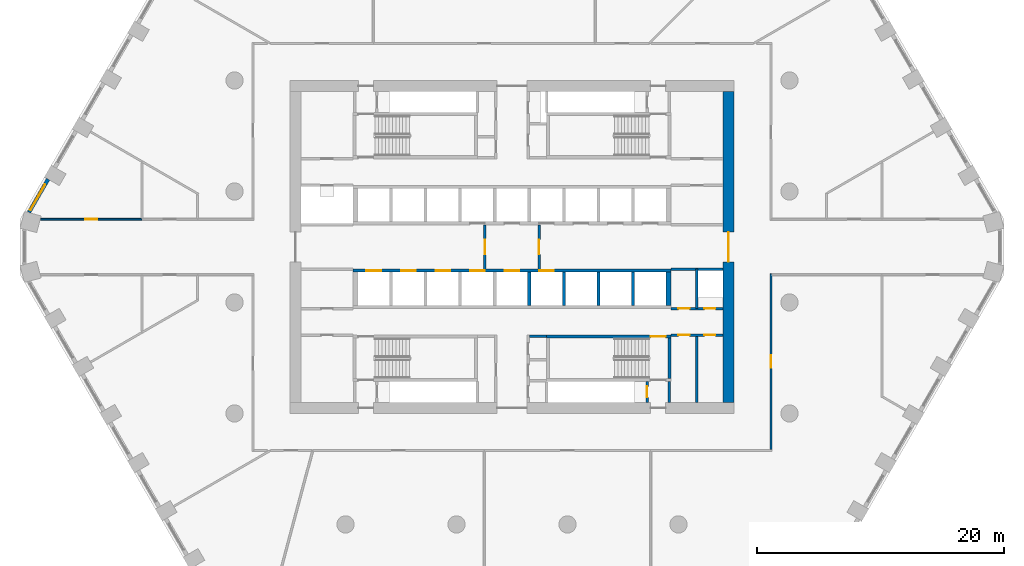
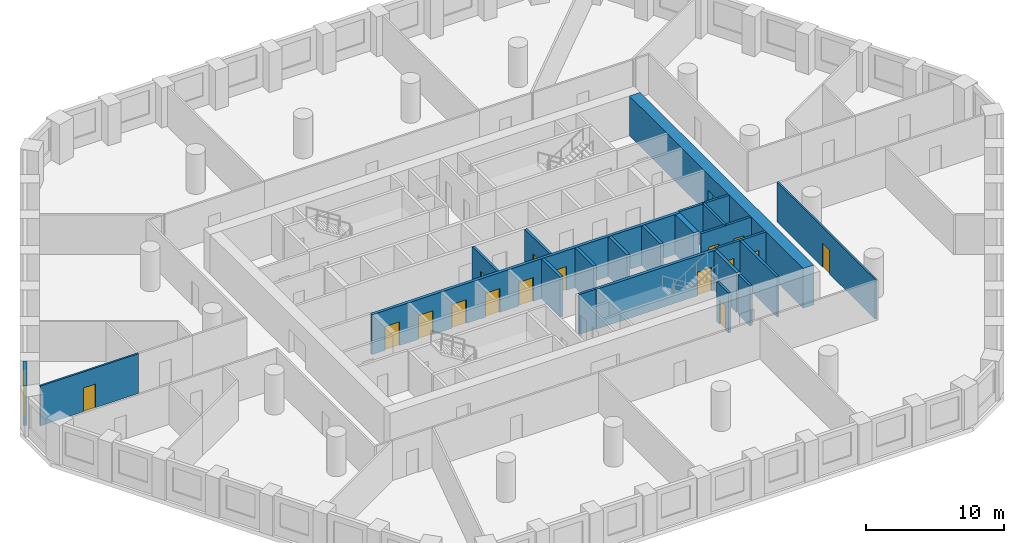
# One storey, part 4 of 10: 22 walls, 17 doors, 1 window, 18 openings.
"""IFC4 building model written with IfcOpenShell, lengths in metres."""

from ifc_helpers import new_model, si_unit, direction, frame, frame_2d, origin, place, context, subcontext, project, spatial, polyline, rectangle, outline, extrude, material, layer, layer_set, type_object, element, fill, save


model = new_model("IFC4")

# Units and contexts
model_context = context("Model", 3, precision=1e-05, world=origin(), true_north=direction((0.0, 1.0)))
body_context = subcontext(model_context, "Body", "Model", "MODEL_VIEW")
ifc_project = project(units=[si_unit("LENGTHUNIT", "METRE"), si_unit("AREAUNIT", "SQUARE_METRE"), si_unit("VOLUMEUNIT", "CUBIC_METRE"), si_unit("PLANEANGLEUNIT", "RADIAN"), si_unit("MASSUNIT", "GRAM", prefix="KILO")], contexts=[model_context])

# Site, building, storey
site_placement = place(None, origin())
site = spatial("IfcSite", under=ifc_project, at=site_placement, CompositionType="ELEMENT")
building_placement = place(site_placement, origin())
building = spatial("IfcBuilding", under=site, at=building_placement, Name="Dhurran Vertical Campus", CompositionType="ELEMENT")
storey_placement = place(building_placement, frame((0.0, 0.0, 37.800048828125)))
storey = spatial("IfcBuildingStorey", under=building, at=storey_placement, Name="L08", CompositionType="ELEMENT", Elevation=37.800048828125)

# Wall, opening, window
ifc_material_1 = material(Name="Precast concrete C50/60", Category="concrete")
ifc_layer_1 = layer(ifc_material_1, 0.300048828125)
ifc_layer_set_1 = layer_set([ifc_layer_1], Name="Precast concrete C50/60")
wall_type_1 = type_object("IfcWallType", Name="Precast spandrel wall 300", PredefinedType="SOLIDWALL", material=ifc_layer_set_1)
wall_1_placement = place(storey_placement, frame((-37.619384765625, 5.495361328125, 0.0), z_axis=(0.0, 0.0, 1.0), x_axis=(-0.49997090907, -0.866042198789, 0.0)))
wall_1 = element("IfcWall", 1, at=wall_1_placement, inside=storey, type_object=wall_type_1, Name="EW1 L08.42", PredefinedType="SOLIDWALL", context=body_context, shape_type="SweptSolid", body=[
    extrude(rectangle(XDim=3.090576171875, YDim=0.300048828125, at=frame_2d((1.54541015625, 0.0))), origin(), (0.0, 0.0, 1.0), 3.52490234375),
])
opening_1_placement = place(wall_1_placement, frame((0.49951171875, 0.0, 0.89990234375)))
opening_1 = element("IfcOpeningElement", 2, at=opening_1_placement, cuts=wall_1, Name="Opening WT1", PredefinedType="OPENING", context=body_context, shape_type="SweptSolid", body=[
    extrude(rectangle(XDim=2.39990234375, YDim=2.10009765625, at=frame_2d((1.199951171875, 1.050048828125))), frame((0.0, 0.159912109375, 0.0), z_axis=(0.0, -1.0, 0.0), x_axis=(1.0, 0.0, 0.0)), (0.0, 0.0, 1.0), 0.320068359375),
])
ifc_material_2 = material(Name="Aluminium frame with solar-control glass", Category="aluminium")
window_type = type_object("IfcWindowType", Name="Punched window 2400 x 2100", PartitioningType="SINGLE_PANEL", PredefinedType="WINDOW", material=ifc_material_2)
window_placement = place(opening_1_placement, origin())
window = element("IfcWindow", 3, at=window_placement, inside=storey, type_object=window_type, Name="WT1 L08.42", OverallHeight=2.10009765625, OverallWidth=2.39990234375, PartitioningType="SINGLE_PANEL", PredefinedType="WINDOW", context=body_context, shape_type="SweptSolid", body=[
    extrude(rectangle(XDim=2.39990234375, YDim=2.10009765625, at=frame_2d((1.199951171875, 1.050048828125))), frame((0.0, 0.030029296875, 0.0), z_axis=(0.0, -1.0, 0.0), x_axis=(1.0, 0.0, 0.0)), (0.0, 0.0, 1.0), 0.06005859375),
])
fill(opening_1, window)

# Wall, opening, door
ifc_material_3 = material(Name="Concrete C60/75", Category="concrete")
ifc_layer_2 = layer(ifc_material_3, 0.89990234375)
ifc_layer_set_2 = layer_set([ifc_layer_2], Name="Concrete C60/75")
wall_type_2 = type_object("IfcWallType", Name="co-CORE-WALL-C0-900", PredefinedType="SHEAR", material=ifc_layer_set_2)
wall_2_placement = place(storey_placement, frame((17.550048828125, -12.60009765625, 0.0), z_axis=(0.0, 0.0, 1.0), x_axis=(0.0, 1.0, 0.0)))
wall_2 = element("IfcWall", 4, at=wall_2_placement, inside=storey, type_object=wall_type_2, Name="Core wall E L08", PredefinedType="SHEAR", context=body_context, shape_type="SweptSolid", body=[
    extrude(rectangle(XDim=25.2001953125, YDim=0.89990234375, at=frame_2d((12.60009765625, 0.0))), origin(), (0.0, 0.0, 1.0), 3.52490234375),
])
opening_2_placement = place(wall_2_placement, frame((11.39990234375, 0.0, 0.0)))
opening_2 = element("IfcOpeningElement", 5, at=opening_2_placement, cuts=wall_2, Name="Opening CL2", PredefinedType="OPENING", context=body_context, shape_type="SweptSolid", body=[
    extrude(rectangle(XDim=2.39990234375, YDim=2.10009765625, at=frame_2d((1.199951171875, 1.050048828125))), frame((0.0, 0.4599609375, 0.0), z_axis=(0.0, -1.0, 0.0), x_axis=(1.0, 0.0, 0.0)), (0.0, 0.0, 1.0), 0.919921875),
])
ifc_material_4 = material(Name="Fire-rated glazed door set")
door_type_1 = type_object("IfcDoorType", Name="co-D-LOBBY 2400x2100", OperationType="DOUBLE_DOOR_DOUBLE_SWING", PredefinedType="DOOR", material=ifc_material_4)
door_1_placement = place(opening_2_placement, origin())
door_1 = element("IfcDoor", 6, at=door_1_placement, inside=storey, type_object=door_type_1, Name="Lift lobby door E L08", OperationType="DOUBLE_DOOR_DOUBLE_SWING", OverallHeight=2.10009765625, OverallWidth=2.39990234375, PredefinedType="DOOR", context=body_context, shape_type="SweptSolid", body=[
    extrude(rectangle(XDim=2.39990234375, YDim=2.10009765625, at=frame_2d((1.199951171875, 1.050048828125))), frame((0.0, 0.02490234375, 0.0), z_axis=(0.0, -1.0, 0.0), x_axis=(1.0, 0.0, 0.0)), (0.0, 0.0, 1.0), 0.050048828125),
])
fill(opening_2, door_1)

ifc_material_5 = material(Name="Fire-rated masonry blockwork", Category="masonry")
ifc_layer_3 = layer(ifc_material_5, 0.199951171875)
ifc_layer_set_3 = layer_set([ifc_layer_3], Name="Fire-rated masonry blockwork")
wall_type_3 = type_object("IfcWallType", Name="co-FIRE-PARTITION-200", PredefinedType="PARTITIONING", material=ifc_layer_set_3)
wall_3_placement = place(storey_placement, frame((-2.199951171875, -1.800048828125, 0.0), z_axis=(0.0, 0.0, 1.0), x_axis=(0.0, 1.0, 0.0)))
wall_3 = element("IfcWall", 7, at=wall_3_placement, inside=storey, type_object=wall_type_3, Name="Firefighting lobby wall W L08", PredefinedType="PARTITIONING", context=body_context, shape_type="SweptSolid", body=[
    extrude(rectangle(XDim=3.60009765625, YDim=0.199951171875, at=frame_2d((1.800048828125, 0.0))), origin(), (0.0, 0.0, 1.0), 3.52490234375),
])
opening_3_placement = place(wall_3_placement, frame((1.199951171875, 0.0, 0.0)))
opening_3 = element("IfcOpeningElement", 8, at=opening_3_placement, cuts=wall_3, Name="Opening FL1", PredefinedType="OPENING", context=body_context, shape_type="SweptSolid", body=[
    extrude(rectangle(XDim=1.199951171875, YDim=2.10009765625, at=frame_2d((0.60009765625, 1.050048828125))), frame((0.0, 0.10986328125, 0.0), z_axis=(0.0, -1.0, 0.0), x_axis=(1.0, 0.0, 0.0)), (0.0, 0.0, 1.0), 0.219970703125),
])
ifc_material_6 = material(Name="Fire-rated steel door set", Category="steel")
door_type_2 = type_object("IfcDoorType", Name="co-D-FFLOBBY 1200x2100", OperationType="SINGLE_SWING_LEFT", PredefinedType="DOOR", material=ifc_material_6)
door_2_placement = place(opening_3_placement, origin())
door_2 = element("IfcDoor", 9, at=door_2_placement, inside=storey, type_object=door_type_2, Name="Firefighting lobby door W L08", OperationType="SINGLE_SWING_LEFT", OverallHeight=2.10009765625, OverallWidth=1.199951171875, PredefinedType="DOOR", context=body_context, shape_type="SweptSolid", body=[
    extrude(rectangle(XDim=1.199951171875, YDim=2.10009765625, at=frame_2d((0.60009765625, 1.050048828125))), frame((0.0, 0.02490234375, 0.0), z_axis=(0.0, -1.0, 0.0), x_axis=(1.0, 0.0, 0.0)), (0.0, 0.0, 1.0), 0.050048828125),
])
fill(opening_3, door_2)

wall_4_placement = place(storey_placement, frame((2.199951171875, -1.800048828125, 0.0), z_axis=(0.0, 0.0, 1.0), x_axis=(0.0, 1.0, 0.0)))
wall_4 = element("IfcWall", 10, at=wall_4_placement, inside=storey, type_object=wall_type_3, Name="Firefighting lobby wall E L08", PredefinedType="PARTITIONING", context=body_context, shape_type="SweptSolid", body=[
    extrude(rectangle(XDim=3.60009765625, YDim=0.199951171875, at=frame_2d((1.800048828125, 0.0))), origin(), (0.0, 0.0, 1.0), 3.52490234375),
])
opening_4_placement = place(wall_4_placement, frame((1.199951171875, 0.0, 0.0)))
opening_4 = element("IfcOpeningElement", 11, at=opening_4_placement, cuts=wall_4, Name="Opening FL2", PredefinedType="OPENING", context=body_context, shape_type="SweptSolid", body=[
    extrude(rectangle(XDim=1.199951171875, YDim=2.10009765625, at=frame_2d((0.60009765625, 1.050048828125))), frame((0.0, 0.10986328125, 0.0), z_axis=(0.0, -1.0, 0.0), x_axis=(1.0, 0.0, 0.0)), (0.0, 0.0, 1.0), 0.219970703125),
])
door_3_placement = place(opening_4_placement, origin())
door_3 = element("IfcDoor", 12, at=door_3_placement, inside=storey, type_object=door_type_2, Name="Firefighting lobby door E L08", OperationType="SINGLE_SWING_LEFT", OverallHeight=2.10009765625, OverallWidth=1.199951171875, PredefinedType="DOOR", context=body_context, shape_type="SweptSolid", body=[
    extrude(rectangle(XDim=1.199951171875, YDim=2.10009765625, at=frame_2d((0.60009765625, 1.050048828125))), frame((0.0, 0.02490234375, 0.0), z_axis=(0.0, -1.0, 0.0), x_axis=(1.0, 0.0, 0.0)), (0.0, 0.0, 1.0), 0.050048828125),
])
fill(opening_4, door_3)

# Walls
wall_5_placement = place(storey_placement, frame((1.39990234375, -7.25, 0.0), z_axis=(0.0, 0.0, 1.0), x_axis=(1.0, 0.0, 0.0)))
element("IfcWall", 13, at=wall_5_placement, inside=storey, type_object=wall_type_3, Name="Core partition sl-SE-S L08", PredefinedType="PARTITIONING", context=body_context, shape_type="SweptSolid", body=[
    extrude(rectangle(XDim=1.400146484375, YDim=0.199951171875, at=frame_2d((0.7001953125, 0.0))), origin(), (0.0, 0.0, 1.0), 3.52490234375),
])
wall_6_placement = place(storey_placement, frame((12.75, -12.60009765625, 0.0), z_axis=(0.0, 0.0, 1.0), x_axis=(0.0, 1.0, 0.0)))
element("IfcWall", 14, at=wall_6_placement, inside=storey, type_object=wall_type_3, Name="Core partition pass-ST4-o L08", PredefinedType="PARTITIONING", context=body_context, shape_type="SweptSolid", body=[
    extrude(rectangle(XDim=1.7001953125, YDim=0.199951171875, at=frame_2d((0.85009765625, 0.0))), origin(), (0.0, 0.0, 1.0), 3.52490234375),
])

# Wall, opening, door
wall_7_placement = place(storey_placement, frame((10.949951171875, -12.60009765625, 0.0), z_axis=(0.0, 0.0, 1.0), x_axis=(0.0, 1.0, 0.0)))
wall_7 = element("IfcWall", 15, at=wall_7_placement, inside=storey, type_object=wall_type_3, Name="Core partition pass-ST4-i L08", PredefinedType="PARTITIONING", context=body_context, shape_type="SweptSolid", body=[
    extrude(rectangle(XDim=1.7001953125, YDim=0.199951171875, at=frame_2d((0.85009765625, 0.0))), origin(), (0.0, 0.0, 1.0), 3.52490234375),
])
opening_5_placement = place(wall_7_placement, frame((0.39990234375, 0.0, 0.0)))
opening_5 = element("IfcOpeningElement", 16, at=opening_5_placement, cuts=wall_7, Name="Opening T01-C12", PredefinedType="OPENING", context=body_context, shape_type="SweptSolid", body=[
    extrude(rectangle(XDim=0.89990234375, YDim=2.10009765625, at=frame_2d((0.449951171875, 1.050048828125))), frame((0.0, 0.10986328125, 0.0), z_axis=(0.0, -1.0, 0.0), x_axis=(1.0, 0.0, 0.0)), (0.0, 0.0, 1.0), 0.219970703125),
])
ifc_material_7 = material(Name="Fire-rated timber door set", Category="wood")
door_type_3 = type_object("IfcDoorType", Name="co-D-ROOM 900x2100", OperationType="SINGLE_SWING_LEFT", PredefinedType="DOOR", material=ifc_material_7)
door_4_placement = place(opening_5_placement, origin())
door_4 = element("IfcDoor", 17, at=door_4_placement, inside=storey, type_object=door_type_3, Name="Riser room door L08", OperationType="SINGLE_SWING_LEFT", OverallHeight=2.10009765625, OverallWidth=0.89990234375, PredefinedType="DOOR", context=body_context, shape_type="SweptSolid", body=[
    extrude(rectangle(XDim=0.89990234375, YDim=2.10009765625, at=frame_2d((0.449951171875, 1.050048828125))), frame((0.0, 0.02490234375, 0.0), z_axis=(0.0, -1.0, 0.0), x_axis=(1.0, 0.0, 0.0)), (0.0, 0.0, 1.0), 0.050048828125),
])
fill(opening_5, door_4)

# Wall
wall_8_placement = place(storey_placement, frame((15.0, -12.60009765625, 0.0), z_axis=(0.0, 0.0, 1.0), x_axis=(0.0, 1.0, 0.0)))
element("IfcWall", 18, at=wall_8_placement, inside=storey, type_object=wall_type_3, Name="Core partition en-SE-cut0 L08", PredefinedType="PARTITIONING", context=body_context, shape_type="SweptSolid", body=[
    extrude(rectangle(XDim=5.4501953125, YDim=0.199951171875, at=frame_2d((2.72509765625, 0.0))), origin(), (0.0, 0.0, 1.0), 3.52490234375),
])

# Wall, openings, doors
wall_9_placement = place(storey_placement, frame((12.89990234375, -7.14990234375, 0.0), z_axis=(0.0, 0.0, 1.0), x_axis=(1.0, 0.0, 0.0)))
wall_9 = element("IfcWall", 19, at=wall_9_placement, inside=storey, type_object=wall_type_3, Name="Core partition en-SE-w L08", PredefinedType="PARTITIONING", context=body_context, shape_type="SweptSolid", body=[
    extrude(rectangle(XDim=4.2001953125, YDim=0.199951171875, at=frame_2d((2.10009765625, 0.0))), origin(), (0.0, 0.0, 1.0), 3.52490234375),
])
opening_6_placement = place(wall_9_placement, frame((0.60009765625, 0.0, 0.0)))
opening_6 = element("IfcOpeningElement", 20, at=opening_6_placement, cuts=wall_9, Name="Opening T01-C19", PredefinedType="OPENING", context=body_context, shape_type="SweptSolid", body=[
    extrude(rectangle(XDim=0.89990234375, YDim=2.10009765625, at=frame_2d((0.449951171875, 1.050048828125))), frame((0.0, 0.10986328125, 0.0), z_axis=(0.0, -1.0, 0.0), x_axis=(1.0, 0.0, 0.0)), (0.0, 0.0, 1.0), 0.219970703125),
])
opening_7_placement = place(wall_9_placement, frame((2.699951171875, 0.0, 0.0)))
opening_7 = element("IfcOpeningElement", 21, at=opening_7_placement, cuts=wall_9, Name="Opening T01-C20", PredefinedType="OPENING", context=body_context, shape_type="SweptSolid", body=[
    extrude(rectangle(XDim=0.89990234375, YDim=2.10009765625, at=frame_2d((0.449951171875, 1.050048828125))), frame((0.0, 0.10986328125, 0.0), z_axis=(0.0, -1.0, 0.0), x_axis=(1.0, 0.0, 0.0)), (0.0, 0.0, 1.0), 0.219970703125),
])
door_5_placement = place(opening_6_placement, origin())
door_5 = element("IfcDoor", 22, at=door_5_placement, inside=storey, type_object=door_type_3, Name="Fire equipment store door L08", OperationType="SINGLE_SWING_LEFT", OverallHeight=2.10009765625, OverallWidth=0.89990234375, PredefinedType="DOOR", context=body_context, shape_type="SweptSolid", body=[
    extrude(rectangle(XDim=0.89990234375, YDim=2.10009765625, at=frame_2d((0.449951171875, 1.050048828125))), frame((0.0, 0.02490234375, 0.0), z_axis=(0.0, -1.0, 0.0), x_axis=(1.0, 0.0, 0.0)), (0.0, 0.0, 1.0), 0.050048828125),
])
fill(opening_6, door_5)
door_6_placement = place(opening_7_placement, origin())
door_6 = element("IfcDoor", 23, at=door_6_placement, inside=storey, type_object=door_type_3, Name="Housekeeping store door L08", OperationType="SINGLE_SWING_LEFT", OverallHeight=2.10009765625, OverallWidth=0.89990234375, PredefinedType="DOOR", context=body_context, shape_type="SweptSolid", body=[
    extrude(rectangle(XDim=0.89990234375, YDim=2.10009765625, at=frame_2d((0.449951171875, 1.050048828125))), frame((0.0, 0.02490234375, 0.0), z_axis=(0.0, -1.0, 0.0), x_axis=(1.0, 0.0, 0.0)), (0.0, 0.0, 1.0), 0.050048828125),
])
fill(opening_7, door_6)

# Wall
wall_10_placement = place(storey_placement, frame((15.0, -5.0, 0.0), z_axis=(0.0, 0.0, 1.0), x_axis=(0.0, 1.0, 0.0)))
element("IfcWall", 24, at=wall_10_placement, inside=storey, type_object=wall_type_3, Name="Core partition es-SE-cut0 L08", PredefinedType="PARTITIONING", context=body_context, shape_type="SweptSolid", body=[
    extrude(rectangle(XDim=3.199951171875, YDim=0.199951171875, at=frame_2d((1.60009765625, 0.0))), origin(), (0.0, 0.0, 1.0), 3.52490234375),
])

# Wall, openings, doors
wall_11_placement = place(storey_placement, frame((12.89990234375, -5.0, 0.0), z_axis=(0.0, 0.0, 1.0), x_axis=(1.0, 0.0, 0.0)))
wall_11 = element("IfcWall", 25, at=wall_11_placement, inside=storey, type_object=wall_type_3, Name="Core partition es-SE-w L08", PredefinedType="PARTITIONING", context=body_context, shape_type="SweptSolid", body=[
    extrude(rectangle(XDim=4.2001953125, YDim=0.199951171875, at=frame_2d((2.10009765625, 0.0))), origin(), (0.0, 0.0, 1.0), 3.52490234375),
])
opening_8_placement = place(wall_11_placement, frame((0.60009765625, 0.0, 0.0)))
opening_8 = element("IfcOpeningElement", 26, at=opening_8_placement, cuts=wall_11, Name="Opening T01-C21", PredefinedType="OPENING", context=body_context, shape_type="SweptSolid", body=[
    extrude(rectangle(XDim=0.89990234375, YDim=2.10009765625, at=frame_2d((0.449951171875, 1.050048828125))), frame((0.0, 0.10986328125, 0.0), z_axis=(0.0, -1.0, 0.0), x_axis=(1.0, 0.0, 0.0)), (0.0, 0.0, 1.0), 0.219970703125),
])
opening_9_placement = place(wall_11_placement, frame((2.699951171875, 0.0, 0.0)))
opening_9 = element("IfcOpeningElement", 27, at=opening_9_placement, cuts=wall_11, Name="Opening T01-C22", PredefinedType="OPENING", context=body_context, shape_type="SweptSolid", body=[
    extrude(rectangle(XDim=0.89990234375, YDim=2.10009765625, at=frame_2d((0.449951171875, 1.050048828125))), frame((0.0, 0.10986328125, 0.0), z_axis=(0.0, -1.0, 0.0), x_axis=(1.0, 0.0, 0.0)), (0.0, 0.0, 1.0), 0.219970703125),
])
door_7_placement = place(opening_8_placement, origin())
door_7 = element("IfcDoor", 28, at=door_7_placement, inside=storey, type_object=door_type_3, Name="Waste room door L08", OperationType="SINGLE_SWING_LEFT", OverallHeight=2.10009765625, OverallWidth=0.89990234375, PredefinedType="DOOR", context=body_context, shape_type="SweptSolid", body=[
    extrude(rectangle(XDim=0.89990234375, YDim=2.10009765625, at=frame_2d((0.449951171875, 1.050048828125))), frame((0.0, 0.02490234375, 0.0), z_axis=(0.0, -1.0, 0.0), x_axis=(1.0, 0.0, 0.0)), (0.0, 0.0, 1.0), 0.050048828125),
])
fill(opening_8, door_7)
door_8_placement = place(opening_9_placement, origin())
door_8 = element("IfcDoor", 29, at=door_8_placement, inside=storey, type_object=door_type_3, Name="Electrical riser door L08", OperationType="SINGLE_SWING_LEFT", OverallHeight=2.10009765625, OverallWidth=0.89990234375, PredefinedType="DOOR", context=body_context, shape_type="SweptSolid", body=[
    extrude(rectangle(XDim=0.89990234375, YDim=2.10009765625, at=frame_2d((0.449951171875, 1.050048828125))), frame((0.0, 0.02490234375, 0.0), z_axis=(0.0, -1.0, 0.0), x_axis=(1.0, 0.0, 0.0)), (0.0, 0.0, 1.0), 0.050048828125),
])
fill(opening_9, door_8)

# Wall
wall_12_placement = place(storey_placement, frame((12.89990234375, -1.800048828125, 0.0), z_axis=(0.0, 0.0, 1.0), x_axis=(1.0, 0.0, 0.0)))
element("IfcWall", 30, at=wall_12_placement, inside=storey, type_object=wall_type_3, Name="Core partition es-SE-l L08", PredefinedType="PARTITIONING", context=body_context, shape_type="SweptSolid", body=[
    extrude(rectangle(XDim=4.2001953125, YDim=0.199951171875, at=frame_2d((2.10009765625, 0.0))), origin(), (0.0, 0.0, 1.0), 3.52490234375),
])

# Wall, openings, doors
ifc_material_8 = material(Name="Concrete C50/60", Category="concrete")
ifc_layer_4 = layer(ifc_material_8, 0.25)
ifc_layer_set_4 = layer_set([ifc_layer_4], Name="Concrete C50/60")
wall_type_4 = type_object("IfcWallType", Name="co-SHAFT-FRONT-250", PredefinedType="SHEAR", material=ifc_layer_set_4)
wall_13_placement = place(storey_placement, frame((-12.89990234375, -1.925048828125, 0.0), z_axis=(0.0, 0.0, 1.0), x_axis=(1.0, 0.0, 0.0)))
wall_13 = element("IfcWall", 31, at=wall_13_placement, inside=storey, type_object=wall_type_4, Name="Lift landing wall S L08", PredefinedType="SHEAR", context=body_context, shape_type="SweptSolid", body=[
    extrude(rectangle(XDim=25.7998046875, YDim=0.25, at=frame_2d((12.89990234375, 0.0))), origin(), (0.0, 0.0, 1.0), 3.52490234375),
])
opening_10_placement = place(wall_13_placement, frame((1.10009765625, 0.0, 0.0)))
opening_10 = element("IfcOpeningElement", 32, at=opening_10_placement, cuts=wall_13, Name="Opening LD", PredefinedType="OPENING", context=body_context, shape_type="SweptSolid", body=[
    extrude(rectangle(XDim=1.199951171875, YDim=2.10009765625, at=frame_2d((0.60009765625, 1.050048828125))), frame((0.0, 0.135009765625, 0.0), z_axis=(0.0, -1.0, 0.0), x_axis=(1.0, 0.0, 0.0)), (0.0, 0.0, 1.0), 0.27001953125),
])
opening_11_placement = place(wall_13_placement, frame((3.89990234375, 0.0, 0.0)))
opening_11 = element("IfcOpeningElement", 33, at=opening_11_placement, cuts=wall_13, Name="Opening LD", PredefinedType="OPENING", context=body_context, shape_type="SweptSolid", body=[
    extrude(rectangle(XDim=1.199951171875, YDim=2.10009765625, at=frame_2d((0.60009765625, 1.050048828125))), frame((0.0, 0.135009765625, 0.0), z_axis=(0.0, -1.0, 0.0), x_axis=(1.0, 0.0, 0.0)), (0.0, 0.0, 1.0), 0.27001953125),
])
opening_12_placement = place(wall_13_placement, frame((6.699951171875, 0.0, 0.0)))
opening_12 = element("IfcOpeningElement", 34, at=opening_12_placement, cuts=wall_13, Name="Opening LD", PredefinedType="OPENING", context=body_context, shape_type="SweptSolid", body=[
    extrude(rectangle(XDim=1.199951171875, YDim=2.10009765625, at=frame_2d((0.60009765625, 1.050048828125))), frame((0.0, 0.135009765625, 0.0), z_axis=(0.0, -1.0, 0.0), x_axis=(1.0, 0.0, 0.0)), (0.0, 0.0, 1.0), 0.27001953125),
])
opening_13_placement = place(wall_13_placement, frame((9.5, 0.0, 0.0)))
opening_13 = element("IfcOpeningElement", 35, at=opening_13_placement, cuts=wall_13, Name="Opening LD", PredefinedType="OPENING", context=body_context, shape_type="SweptSolid", body=[
    extrude(rectangle(XDim=1.199951171875, YDim=2.10009765625, at=frame_2d((0.60009765625, 1.050048828125))), frame((0.0, 0.135009765625, 0.0), z_axis=(0.0, -1.0, 0.0), x_axis=(1.0, 0.0, 0.0)), (0.0, 0.0, 1.0), 0.27001953125),
])
opening_14_placement = place(wall_13_placement, frame((12.300048828125, 0.0, 0.0)))
opening_14 = element("IfcOpeningElement", 36, at=opening_14_placement, cuts=wall_13, Name="Opening LD", PredefinedType="OPENING", context=body_context, shape_type="SweptSolid", body=[
    extrude(rectangle(XDim=1.199951171875, YDim=2.10009765625, at=frame_2d((0.60009765625, 1.050048828125))), frame((0.0, 0.135009765625, 0.0), z_axis=(0.0, -1.0, 0.0), x_axis=(1.0, 0.0, 0.0)), (0.0, 0.0, 1.0), 0.27001953125),
])
opening_15_placement = place(wall_13_placement, frame((15.10009765625, 0.0, 0.0)))
opening_15 = element("IfcOpeningElement", 37, at=opening_15_placement, cuts=wall_13, Name="Opening LD", PredefinedType="OPENING", context=body_context, shape_type="SweptSolid", body=[
    extrude(rectangle(XDim=1.199951171875, YDim=2.10009765625, at=frame_2d((0.60009765625, 1.050048828125))), frame((0.0, 0.135009765625, 0.0), z_axis=(0.0, -1.0, 0.0), x_axis=(1.0, 0.0, 0.0)), (0.0, 0.0, 1.0), 0.27001953125),
])
ifc_material_9 = material(Name="Stainless steel landing door", Category="steel")
door_type_4 = type_object("IfcDoorType", Name="co-D-LANDING 1200x2100", OperationType="DOUBLE_DOOR_SLIDING", PredefinedType="DOOR", material=ifc_material_9)
door_9_placement = place(opening_10_placement, origin())
door_9 = element("IfcDoor", 38, at=door_9_placement, inside=storey, type_object=door_type_4, Name="Landing door LR5 L08", OperationType="DOUBLE_DOOR_SLIDING", OverallHeight=2.10009765625, OverallWidth=1.199951171875, PredefinedType="DOOR", context=body_context, shape_type="SweptSolid", body=[
    extrude(rectangle(XDim=1.199951171875, YDim=2.10009765625, at=frame_2d((0.60009765625, 1.050048828125))), frame((0.0, 0.02490234375, 0.0), z_axis=(0.0, -1.0, 0.0), x_axis=(1.0, 0.0, 0.0)), (0.0, 0.0, 1.0), 0.050048828125),
])
fill(opening_10, door_9)
door_10_placement = place(opening_11_placement, origin())
door_10 = element("IfcDoor", 39, at=door_10_placement, inside=storey, type_object=door_type_4, Name="Landing door LR6 L08", OperationType="DOUBLE_DOOR_SLIDING", OverallHeight=2.10009765625, OverallWidth=1.199951171875, PredefinedType="DOOR", context=body_context, shape_type="SweptSolid", body=[
    extrude(rectangle(XDim=1.199951171875, YDim=2.10009765625, at=frame_2d((0.60009765625, 1.050048828125))), frame((0.0, 0.02490234375, 0.0), z_axis=(0.0, -1.0, 0.0), x_axis=(1.0, 0.0, 0.0)), (0.0, 0.0, 1.0), 0.050048828125),
])
fill(opening_11, door_10)
door_11_placement = place(opening_12_placement, origin())
door_11 = element("IfcDoor", 40, at=door_11_placement, inside=storey, type_object=door_type_4, Name="Landing door LR7 L08", OperationType="DOUBLE_DOOR_SLIDING", OverallHeight=2.10009765625, OverallWidth=1.199951171875, PredefinedType="DOOR", context=body_context, shape_type="SweptSolid", body=[
    extrude(rectangle(XDim=1.199951171875, YDim=2.10009765625, at=frame_2d((0.60009765625, 1.050048828125))), frame((0.0, 0.02490234375, 0.0), z_axis=(0.0, -1.0, 0.0), x_axis=(1.0, 0.0, 0.0)), (0.0, 0.0, 1.0), 0.050048828125),
])
fill(opening_12, door_11)
door_12_placement = place(opening_13_placement, origin())
door_12 = element("IfcDoor", 41, at=door_12_placement, inside=storey, type_object=door_type_4, Name="Landing door LR8 L08", OperationType="DOUBLE_DOOR_SLIDING", OverallHeight=2.10009765625, OverallWidth=1.199951171875, PredefinedType="DOOR", context=body_context, shape_type="SweptSolid", body=[
    extrude(rectangle(XDim=1.199951171875, YDim=2.10009765625, at=frame_2d((0.60009765625, 1.050048828125))), frame((0.0, 0.02490234375, 0.0), z_axis=(0.0, -1.0, 0.0), x_axis=(1.0, 0.0, 0.0)), (0.0, 0.0, 1.0), 0.050048828125),
])
fill(opening_13, door_12)
door_13_placement = place(opening_14_placement, origin())
door_13 = element("IfcDoor", 42, at=door_13_placement, inside=storey, type_object=door_type_4, Name="Landing door FF2 L08", OperationType="DOUBLE_DOOR_SLIDING", OverallHeight=2.10009765625, OverallWidth=1.199951171875, PredefinedType="DOOR", context=body_context, shape_type="SweptSolid", body=[
    extrude(rectangle(XDim=1.199951171875, YDim=2.10009765625, at=frame_2d((0.60009765625, 1.050048828125))), frame((0.0, 0.02490234375, 0.0), z_axis=(0.0, -1.0, 0.0), x_axis=(1.0, 0.0, 0.0)), (0.0, 0.0, 1.0), 0.050048828125),
])
fill(opening_14, door_13)
door_14_placement = place(opening_15_placement, origin())
door_14 = element("IfcDoor", 43, at=door_14_placement, inside=storey, type_object=door_type_4, Name="Landing door SV1 L08", OperationType="DOUBLE_DOOR_SLIDING", OverallHeight=2.10009765625, OverallWidth=1.199951171875, PredefinedType="DOOR", context=body_context, shape_type="SweptSolid", body=[
    extrude(rectangle(XDim=1.199951171875, YDim=2.10009765625, at=frame_2d((0.60009765625, 1.050048828125))), frame((0.0, 0.02490234375, 0.0), z_axis=(0.0, -1.0, 0.0), x_axis=(1.0, 0.0, 0.0)), (0.0, 0.0, 1.0), 0.050048828125),
])
fill(opening_15, door_14)

# Walls
ifc_material_10 = material(Name="Concrete C50/60", Category="concrete")
ifc_layer_5 = layer(ifc_material_10, 0.25)
ifc_layer_set_5 = layer_set([ifc_layer_5], Name="Concrete C50/60")
wall_type_5 = type_object("IfcWallType", Name="co-SHAFT-MASS-250", PredefinedType="SHEAR", material=ifc_layer_set_5)
wall_14_placement = place(storey_placement, origin())
element("IfcWall", 44, at=wall_14_placement, inside=storey, type_object=wall_type_5, Name="Lift shaft wall S L08 7", PredefinedType="SHEAR", context=body_context, shape_type="SweptSolid", body=[
    extrude(outline(polyline([(1.27490234375, -4.75), (1.52490234375, -4.75), (1.52490234375, -2.050048828125), (1.27490234375, -2.050048828125), (1.27490234375, -4.75)])), origin(), (0.0, 0.0, 1.0), 3.52490234375),
])
wall_15_placement = place(storey_placement, origin())
element("IfcWall", 45, at=wall_15_placement, inside=storey, type_object=wall_type_5, Name="Lift shaft wall S L08 8", PredefinedType="SHEAR", context=body_context, shape_type="SweptSolid", body=[
    extrude(outline(polyline([(4.074951171875, -4.75), (4.324951171875, -4.75), (4.324951171875, -2.050048828125), (4.074951171875, -2.050048828125), (4.074951171875, -4.75)])), origin(), (0.0, 0.0, 1.0), 3.52490234375),
])
wall_16_placement = place(storey_placement, origin())
element("IfcWall", 46, at=wall_16_placement, inside=storey, type_object=wall_type_5, Name="Lift shaft wall S L08 9", PredefinedType="SHEAR", context=body_context, shape_type="SweptSolid", body=[
    extrude(outline(polyline([(6.875, -4.75), (7.125, -4.75), (7.125, -2.050048828125), (6.875, -2.050048828125), (6.875, -4.75)])), origin(), (0.0, 0.0, 1.0), 3.52490234375),
])
wall_17_placement = place(storey_placement, origin())
element("IfcWall", 47, at=wall_17_placement, inside=storey, type_object=wall_type_5, Name="Lift shaft wall S L08 10", PredefinedType="SHEAR", context=body_context, shape_type="SweptSolid", body=[
    extrude(outline(polyline([(9.675048828125, -4.75), (9.925048828125, -4.75), (9.925048828125, -2.050048828125), (9.675048828125, -2.050048828125), (9.675048828125, -4.75)])), origin(), (0.0, 0.0, 1.0), 3.52490234375),
])
wall_18_placement = place(storey_placement, origin())
element("IfcWall", 48, at=wall_18_placement, inside=storey, type_object=wall_type_5, Name="Lift shaft wall S L08 11", PredefinedType="SHEAR", context=body_context, shape_type="SweptSolid", body=[
    extrude(outline(polyline([(12.47509765625, -4.75), (12.89990234375, -4.75), (12.89990234375, -2.050048828125), (12.47509765625, -2.050048828125), (12.47509765625, -4.75)])), origin(), (0.0, 0.0, 1.0), 3.52490234375),
])

# Wall, opening, door
ifc_material_11 = material(Name="Concrete C40/50", Category="concrete")
ifc_layer_6 = layer(ifc_material_11, 0.25)
ifc_layer_set_6 = layer_set([ifc_layer_6], Name="Concrete C40/50")
wall_type_6 = type_object("IfcWallType", Name="co-STAIR-WALL-250", PredefinedType="SHEAR", material=ifc_layer_set_6)
wall_19_placement = place(storey_placement, frame((2.800048828125, -7.27490234375, 0.0), z_axis=(0.0, 0.0, 1.0), x_axis=(1.0, 0.0, 0.0)))
wall_19 = element("IfcWall", 49, at=wall_19_placement, inside=storey, type_object=wall_type_6, Name="Stair ST4 enclosure wall L08", PredefinedType="SHEAR", context=body_context, shape_type="SweptSolid", body=[
    extrude(rectangle(XDim=10.099853515625, YDim=0.25, at=frame_2d((5.0498046875, 0.0))), origin(), (0.0, 0.0, 1.0), 3.52490234375),
])
opening_16_placement = place(wall_19_placement, frame((8.449951171875, 0.0, 0.0)))
opening_16 = element("IfcOpeningElement", 50, at=opening_16_placement, cuts=wall_19, Name="Opening SD4", PredefinedType="OPENING", context=body_context, shape_type="SweptSolid", body=[
    extrude(rectangle(XDim=1.199951171875, YDim=2.10009765625, at=frame_2d((0.60009765625, 1.050048828125))), frame((0.0, 0.135009765625, 0.0), z_axis=(0.0, -1.0, 0.0), x_axis=(1.0, 0.0, 0.0)), (0.0, 0.0, 1.0), 0.27001953125),
])
ifc_material_12 = material(Name="Fire-rated steel door set", Category="steel")
door_type_5 = type_object("IfcDoorType", Name="co-D-STAIR 1200x2100", OperationType="SINGLE_SWING_LEFT", PredefinedType="DOOR", material=ifc_material_12)
door_15_placement = place(opening_16_placement, origin())
door_15 = element("IfcDoor", 51, at=door_15_placement, inside=storey, type_object=door_type_5, Name="Stair ST4 door L08", OperationType="SINGLE_SWING_LEFT", OverallHeight=2.10009765625, OverallWidth=1.199951171875, PredefinedType="DOOR", context=body_context, shape_type="SweptSolid", body=[
    extrude(rectangle(XDim=1.199951171875, YDim=2.10009765625, at=frame_2d((0.60009765625, 1.050048828125))), frame((0.0, 0.02490234375, 0.0), z_axis=(0.0, -1.0, 0.0), x_axis=(1.0, 0.0, 0.0)), (0.0, 0.0, 1.0), 0.050048828125),
])
fill(opening_16, door_15)

# Wall
wall_20_placement = place(storey_placement, frame((12.77490234375, -10.64990234375, 0.0), z_axis=(0.0, 0.0, 1.0), x_axis=(0.0, 1.0, 0.0)))
element("IfcWall", 52, at=wall_20_placement, inside=storey, type_object=wall_type_6, Name="Stair ST4 enclosure wall L08", PredefinedType="SHEAR", context=body_context, shape_type="SweptSolid", body=[
    extrude(rectangle(XDim=3.25, YDim=0.25, at=frame_2d((1.625, 0.0))), origin(), (0.0, 0.0, 1.0), 3.52490234375),
])

# Wall, opening, door
ifc_material_13 = material(Name="Gypsum board corridor wall on steel studs", Category="steel")
ifc_layer_7 = layer(ifc_material_13, 0.14990234375)
ifc_layer_set_7 = layer_set([ifc_layer_7], Name="Gypsum board corridor wall on steel studs")
wall_type_7 = type_object("IfcWallType", Name="fl-CW-150 corridor wall", PredefinedType="PARTITIONING", material=ifc_layer_set_7)
wall_21_placement = place(storey_placement, frame((-38.23291015625, 2.25, 0.0), z_axis=(0.0, 0.0, 1.0), x_axis=(1.0, 0.0, 0.0)))
wall_21 = element("IfcWall", 53, at=wall_21_placement, inside=storey, type_object=wall_type_7, Name="Partition 08-02", PredefinedType="PARTITIONING", context=body_context, shape_type="SweptSolid", body=[
    extrude(rectangle(XDim=8.23291015625, YDim=0.14990234375, at=frame_2d((4.116455078125, 0.0))), origin(), (0.0, 0.0, 1.0), 3.52490234375),
])
opening_17_placement = place(wall_21_placement, frame((3.616455078125, 0.0, 0.0)))
opening_17 = element("IfcOpeningElement", 54, at=opening_17_placement, cuts=wall_21, Name="Opening T01.02", PredefinedType="OPENING", context=body_context, shape_type="SweptSolid", body=[
    extrude(rectangle(XDim=1.0, YDim=2.10009765625, at=frame_2d((0.5, 1.050048828125))), frame((0.0, 0.0849609375, 0.0), z_axis=(0.0, -1.0, 0.0), x_axis=(1.0, 0.0, 0.0)), (0.0, 0.0, 1.0), 0.169921875),
])
ifc_material_14 = material(Name="Solid-core timber door set, fire-rated", Category="wood")
door_type_6 = type_object("IfcDoorType", Name="fl-D-1000x2100", OperationType="SINGLE_SWING_LEFT", PredefinedType="DOOR", material=ifc_material_14)
door_16_placement = place(opening_17_placement, origin())
door_16 = element("IfcDoor", 55, at=door_16_placement, inside=storey, type_object=door_type_6, Name="Door 08.02", OperationType="SINGLE_SWING_LEFT", OverallHeight=2.10009765625, OverallWidth=1.0, PredefinedType="DOOR", context=body_context, shape_type="SweptSolid", body=[
    extrude(rectangle(XDim=1.0, YDim=2.10009765625, at=frame_2d((0.5, 1.050048828125))), frame((0.0, 0.02490234375, 0.0), z_axis=(0.0, -1.0, 0.0), x_axis=(1.0, 0.0, 0.0)), (0.0, 0.0, 1.0), 0.050048828125),
])
fill(opening_17, door_16)

wall_22_placement = place(storey_placement, frame((21.0, -16.425048828125, 0.0), z_axis=(0.0, 0.0, 1.0), x_axis=(0.0, 1.0, 0.0)))
wall_22 = element("IfcWall", 56, at=wall_22_placement, inside=storey, type_object=wall_type_7, Name="Partition 08-37", PredefinedType="PARTITIONING", context=body_context, shape_type="SweptSolid", body=[
    extrude(rectangle(XDim=14.25, YDim=0.14990234375, at=frame_2d((7.125, 0.0))), origin(), (0.0, 0.0, 1.0), 3.52490234375),
])
opening_18_placement = place(wall_22_placement, frame((6.625, 0.0, 0.0)))
opening_18 = element("IfcOpeningElement", 57, at=opening_18_placement, cuts=wall_22, Name="Opening T01.14", PredefinedType="OPENING", context=body_context, shape_type="SweptSolid", body=[
    extrude(rectangle(XDim=1.0, YDim=2.10009765625, at=frame_2d((0.5, 1.050048828125))), frame((0.0, 0.0849609375, 0.0), z_axis=(0.0, -1.0, 0.0), x_axis=(1.0, 0.0, 0.0)), (0.0, 0.0, 1.0), 0.169921875),
])
door_17_placement = place(opening_18_placement, origin())
door_17 = element("IfcDoor", 58, at=door_17_placement, inside=storey, type_object=door_type_6, Name="Door 08.14", OperationType="SINGLE_SWING_RIGHT", OverallHeight=2.10009765625, OverallWidth=1.0, PredefinedType="DOOR", context=body_context, shape_type="SweptSolid", body=[
    extrude(rectangle(XDim=1.0, YDim=2.10009765625, at=frame_2d((0.5, 1.050048828125))), frame((0.0, 0.02490234375, 0.0), z_axis=(0.0, -1.0, 0.0), x_axis=(1.0, 0.0, 0.0)), (0.0, 0.0, 1.0), 0.050048828125),
])
fill(opening_18, door_17)

save(model, "model.ifc")
